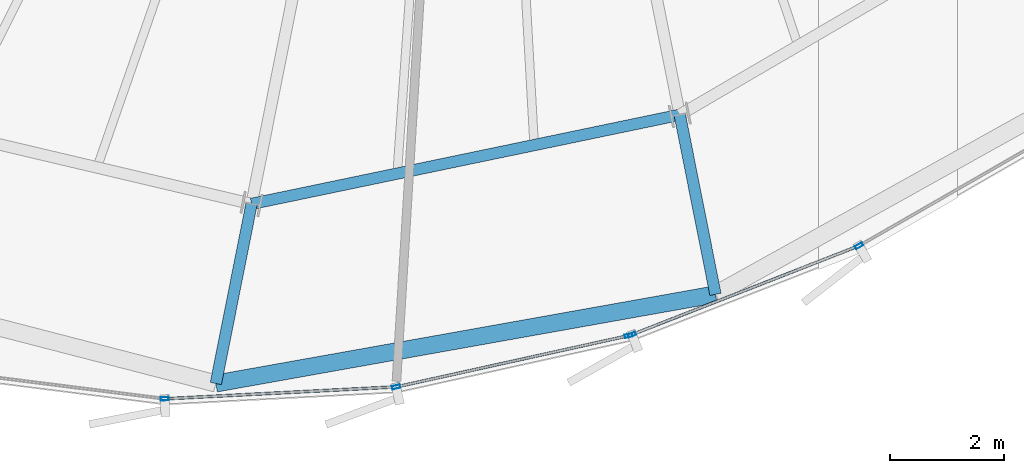
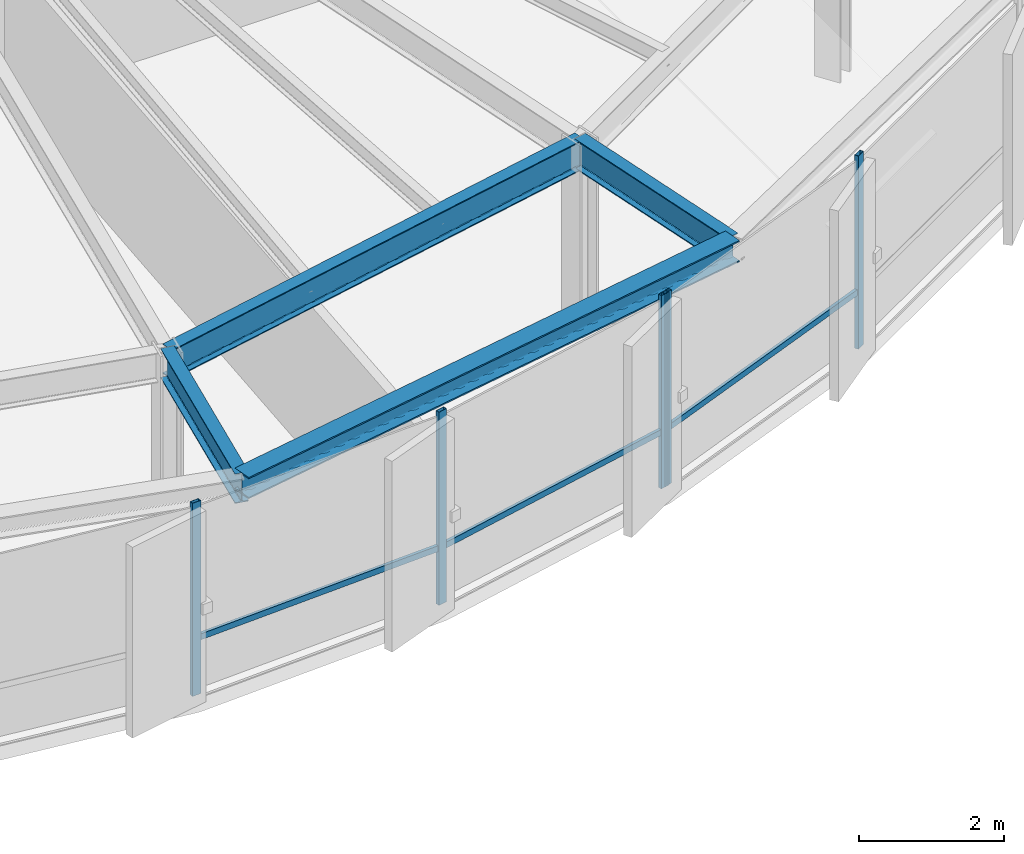
# One storey, part 6 of 35: 8 members, 4 beams, 2 elements without a shape of their own.
"""IFC4 building model written with IfcOpenShell, lengths in metres."""

from ifc_helpers import new_model, si_unit, direction, frame, origin, origin_2d, place, context, subcontext, project, spatial, hollow_rectangle, i_section, extrude, source, transform, mapped, material, layer, layer_set, material_profile, profile_set, type_object, element, aggregate, save


model = new_model("IFC4")

# Units and contexts
model_context = context("Model", 3, precision=1e-05, world=origin(), true_north=direction((0.0, 1.0)))
body_context = subcontext(model_context, "Body", "Model", "MODEL_VIEW")
ifc_project = project(units=[si_unit("LENGTHUNIT", "METRE"), si_unit("AREAUNIT", "SQUARE_METRE"), si_unit("VOLUMEUNIT", "CUBIC_METRE"), si_unit("PLANEANGLEUNIT", "RADIAN"), si_unit("MASSUNIT", "GRAM", prefix="KILO"), si_unit("THERMODYNAMICTEMPERATUREUNIT", "KELVIN")], contexts=[model_context])

# Site, building, storey
site_placement = place(None, origin())
site = spatial("IfcSite", under=ifc_project, at=site_placement, CompositionType="ELEMENT")
building_placement = place(site_placement, origin())
building = spatial("IfcBuilding", under=site, at=building_placement, Name="Kethvar Cultural Tower", CompositionType="ELEMENT")
storey_placement = place(building_placement, frame((0.0, 0.0, 204.39990234375)))
storey = spatial("IfcBuildingStorey", under=building, at=storey_placement, Name="L53", CompositionType="ELEMENT", Elevation=204.39990234375)

# Beams
ifc_material_1 = material(Name="Steel S355J2", Category="steel")
ifc_material_profile_1 = material_profile(ifc_material_1, i_section(OverallWidth=0.199951171875, OverallDepth=0.5, WebThickness=0.01025390625, FlangeThickness=0.01611328125, FilletRadius=0.02099609375, at=origin_2d()), Name="Steel S355J2 — IPE500")
ifc_profile_set_1 = profile_set([ifc_material_profile_1], Name="Steel S355J2 — IPE500")
beam_type_1 = type_object("IfcBeamType", Name="BM-IPE500", PredefinedType="BEAM", material=ifc_profile_set_1)
shared_shape_1 = source(origin(), body_context, "Body", "SweptSolid", [
    extrude(i_section(OverallWidth=0.199951171875, OverallDepth=0.5, WebThickness=0.01025390625, FlangeThickness=0.01611328125, FilletRadius=0.02099609375, at=origin_2d()), origin(), (0.0, 0.0, 1.0), 3.199951171875),
])
for number, where, z_axis, x_axis, name in (
    (1, (42.903564453125, 8.2109375, 3.008056640625), (-0.195088965533, -0.980785550224, 0.0), (0.980785550224, -0.195088965533, 0.0), "L53 Perimeter Cantilever Beam RC-12"),
    (2, (50.38671875, 9.7685546875, 3.008056640625), (0.195088965533, -0.980785550224, 0.0), (0.980785550224, 0.195088965533, 0.0), "L53 Perimeter Cantilever Beam RC-13"),
):
    element("IfcBeam", number, at=place(storey_placement, frame(where, z_axis=z_axis, x_axis=x_axis)), inside=storey, type_object=beam_type_1, Name=name, PredefinedType="BEAM", context=body_context, shape_type="MappedRepresentation", body=[
        mapped(shared_shape_1, transform((0.0, 0.0, 0.0), scale=1.0)),
    ])
shared_shape_2 = source(origin(), body_context, "Body", "SweptSolid", [
    extrude(i_section(OverallWidth=0.199951171875, OverallDepth=0.5, WebThickness=0.01025390625, FlangeThickness=0.01611328125, FilletRadius=0.02099609375, at=origin_2d()), origin(), (0.0, 0.0, 1.0), 7.6435546875),
])
beam_1_placement = place(storey_placement, frame((42.903564453125, 8.2109375, 3.008056640625), z_axis=(0.979016278161, 0.203782057834, 0.0), x_axis=(-0.203782057834, 0.979016278161, 0.0)))
element("IfcBeam", 3, at=beam_1_placement, inside=storey, type_object=beam_type_1, Name="L53 Column Ring Tie Beam CR-12", PredefinedType="BEAM", context=body_context, shape_type="MappedRepresentation", body=[
    mapped(shared_shape_2, transform((0.0, 0.0, 0.0), scale=1.0)),
])
ifc_material_profile_2 = material_profile(ifc_material_1, i_section(OverallWidth=0.300048828125, OverallDepth=0.360107421875, WebThickness=0.012451171875, FlangeThickness=0.0224609375, FilletRadius=0.027099609375, at=origin_2d()), Name="Steel S355J2 — HEB360")
ifc_profile_set_2 = profile_set([ifc_material_profile_2], Name="Steel S355J2 — HEB360")
beam_type_2 = type_object("IfcBeamType", Name="BM-SP360", PredefinedType="SPANDREL", material=ifc_profile_set_2)
shared_shape_3 = source(origin(), body_context, "Body", "SweptSolid", [
    extrude(i_section(OverallWidth=0.300048828125, OverallDepth=0.360107421875, WebThickness=0.012451171875, FlangeThickness=0.0224609375, FilletRadius=0.027099609375, at=origin_2d()), origin(), (0.0, 0.0, 1.0), 8.86962890625),
])
beam_2_placement = place(storey_placement, frame((42.279296875, 5.072509765625, 3.078125), z_axis=(0.984459032332, 0.175614389103, 0.0), x_axis=(-0.175614389103, 0.984459032332, 0.0)))
element("IfcBeam", 4, at=beam_2_placement, inside=storey, type_object=beam_type_2, Name="L53 Perimeter Spandrel Beam SP-12", PredefinedType="SPANDREL", context=body_context, shape_type="MappedRepresentation", body=[
    mapped(shared_shape_3, transform((0.0, 0.0, 0.0), scale=1.0)),
])

# Curtain wall, members
ifc_material_2 = material(Name="Aluminium 6063-T6", Category="aluminium")
ifc_layer = layer(ifc_material_2, 0.179931640625, Name="Aluminium 6063-T6", Category="aluminium")
ifc_layer_set = layer_set([ifc_layer], Name="Aluminium 6063-T6 (180 mm)")
curtain_wall_type = type_object("IfcCurtainWallType", Name="CW-SYS-04-Z34", PredefinedType="NOTDEFINED", material=ifc_layer_set)
curtain_wall_1_placement = place(storey_placement, origin())
curtain_wall_1 = element("IfcCurtainWall", 5, at=curtain_wall_1_placement, inside=storey, type_object=curtain_wall_type, Name="L53 Curtain Wall Run 04", PredefinedType="NOTDEFINED")
ifc_material_profile_3 = material_profile(ifc_material_2, hollow_rectangle(XDim=0.050048828125, YDim=0.10009765625, WallThickness=0.00390625, at=origin_2d()), Name="Aluminium 6063-T6 — RHS100x50x4")
ifc_profile_set_3 = profile_set([ifc_material_profile_3], Name="Aluminium 6063-T6 — RHS100x50x4")
member_type_1 = type_object("IfcMemberType", Name="CW-SYS-04-Z34-TRN", PredefinedType="USERDEFINED", material=ifc_profile_set_3)
shared_shape_4 = source(origin(), body_context, "Body", "SweptSolid", [
    extrude(hollow_rectangle(XDim=0.050048828125, YDim=0.10009765625, WallThickness=0.00390625, at=origin_2d()), origin(), (0.0, 0.0, 1.0), 4.11572265625),
])
member_1_placement = place(storey_placement, frame((45.47119140625, 5.021240234375, 0.9501953125), z_axis=(0.976515331724, 0.215447921566, 0.0), x_axis=(-0.215447921566, 0.976515331724, 0.0)))
member_1 = element("IfcMember", 6, at=member_1_placement, type_object=member_type_1, Name="CW-L53-R04 Transom 6", ObjectType="TRANSOM", PredefinedType="USERDEFINED", context=body_context, shape_type="MappedRepresentation", body=[
    mapped(shared_shape_4, transform((0.0, 0.0, 0.0), scale=1.0)),
])
ifc_material_profile_4 = material_profile(ifc_material_2, hollow_rectangle(XDim=0.06005859375, YDim=0.139892578125, WallThickness=0.0048828125, at=origin_2d()), Name="Aluminium 6063-T6 — RHS140x60x5")
ifc_profile_set_4 = profile_set([ifc_material_profile_4], Name="Aluminium 6063-T6 — RHS140x60x5")
member_type_2 = type_object("IfcMemberType", Name="CW-SYS-04-Z34-MUL", PredefinedType="MULLION", material=ifc_profile_set_4)
shared_shape_5 = source(origin(), body_context, "Body", "SweptSolid", [
    extrude(hollow_rectangle(XDim=0.06005859375, YDim=0.139892578125, WallThickness=0.0048828125, at=origin_2d()), origin(), (0.0, 0.0, 1.0), 3.260009765625),
])
member_2_placement = place(storey_placement, frame((41.384765625, 4.8046875, 0.0), z_axis=(0.0, 0.0, 1.0), x_axis=(-0.051569048457, 0.998669431414, 0.0)))
member_2 = element("IfcMember", 7, at=member_2_placement, type_object=member_type_2, Name="CW-L53-R04 Mullion 5", PredefinedType="MULLION", context=body_context, shape_type="MappedRepresentation", body=[
    mapped(shared_shape_5, transform((0.0, 0.0, 0.0), scale=1.0)),
])
member_3_placement = place(storey_placement, frame((45.42919921875, 5.011962890625, 0.0), z_axis=(0.0, 0.0, 1.0), x_axis=(-0.215468250944, 0.976510846245, 0.0)))
member_3 = element("IfcMember", 8, at=member_3_placement, type_object=member_type_2, Name="CW-L53-R04 Mullion 6", PredefinedType="MULLION", context=body_context, shape_type="MappedRepresentation", body=[
    mapped(shared_shape_5, transform((0.0, 0.0, 0.0), scale=1.0)),
])
member_4_placement = place(storey_placement, frame((49.494384765625, 5.908935546875, 0.0), z_axis=(0.0, 0.0, 1.0), x_axis=(-0.215468250944, 0.976510846245, 0.0)))
member_4 = element("IfcMember", 9, at=member_4_placement, type_object=member_type_2, Name="CW-L53-R04 Mullion 7", PredefinedType="MULLION", context=body_context, shape_type="MappedRepresentation", body=[
    mapped(shared_shape_5, transform((0.0, 0.0, 0.0), scale=1.0)),
])

curtain_wall_2_placement = place(storey_placement, origin())
curtain_wall_2 = element("IfcCurtainWall", 10, at=curtain_wall_2_placement, inside=storey, type_object=curtain_wall_type, Name="L53 Curtain Wall Run 05", PredefinedType="NOTDEFINED")
member_5_placement = place(storey_placement, frame((49.55224609375, 5.926513671875, 0.0), z_axis=(0.0, 0.0, 1.0), x_axis=(-0.364551762325, 0.931183125162, 0.0)))
member_5 = element("IfcMember", 11, at=member_5_placement, type_object=member_type_2, Name="CW-L53-R05 Mullion 1", PredefinedType="MULLION", context=body_context, shape_type="MappedRepresentation", body=[
    mapped(shared_shape_5, transform((0.0, 0.0, 0.0), scale=1.0)),
])
member_6_placement = place(storey_placement, frame((53.520751953125, 7.478759765625, 0.0), z_axis=(0.0, 0.0, 1.0), x_axis=(-0.49866929125, 0.866792326895, 0.0)))
member_6 = element("IfcMember", 12, at=member_6_placement, type_object=member_type_2, Name="CW-L53-R05 Mullion 2", PredefinedType="MULLION", context=body_context, shape_type="MappedRepresentation", body=[
    mapped(shared_shape_5, transform((0.0, 0.0, 0.0), scale=1.0)),
])

# Member
shared_shape_6 = source(origin(), body_context, "Body", "SweptSolid", [
    extrude(hollow_rectangle(XDim=0.050048828125, YDim=0.10009765625, WallThickness=0.00390625, at=origin_2d()), origin(), (0.0, 0.0, 1.0), 3.9814453125),
])
member_7_placement = place(storey_placement, frame((41.427978515625, 4.806884765625, 0.9501953125), z_axis=(0.99866934455, 0.051570730613, 0.0), x_axis=(-0.051570730613, 0.99866934455, 0.0)))
member_7 = element("IfcMember", 13, at=member_7_placement, type_object=member_type_1, Name="CW-L53-R04 Transom 5", ObjectType="TRANSOM", PredefinedType="USERDEFINED", context=body_context, shape_type="MappedRepresentation", body=[
    mapped(shared_shape_6, transform((0.0, 0.0, 0.0), scale=1.0)),
])

aggregate(curtain_wall_1, [member_2, member_3, member_4, member_7, member_1])

shared_shape_7 = source(origin(), body_context, "Body", "SweptSolid", [
    extrude(hollow_rectangle(XDim=0.050048828125, YDim=0.10009765625, WallThickness=0.00390625, at=origin_2d()), origin(), (0.0, 0.0, 1.0), 4.23046875),
])
member_8_placement = place(storey_placement, frame((49.55615234375, 5.927978515625, 0.9501953125), z_axis=(0.931178052246, 0.364564719928, 0.0), x_axis=(-0.364564719928, 0.931178052246, 0.0)))
member_8 = element("IfcMember", 14, at=member_8_placement, type_object=member_type_1, Name="CW-L53-R05 Transom 1", ObjectType="TRANSOM", PredefinedType="USERDEFINED", context=body_context, shape_type="MappedRepresentation", body=[
    mapped(shared_shape_7, transform((0.0, 0.0, 0.0), scale=1.0)),
])

aggregate(curtain_wall_2, [member_5, member_6, member_8])

save(model, "model.ifc")
